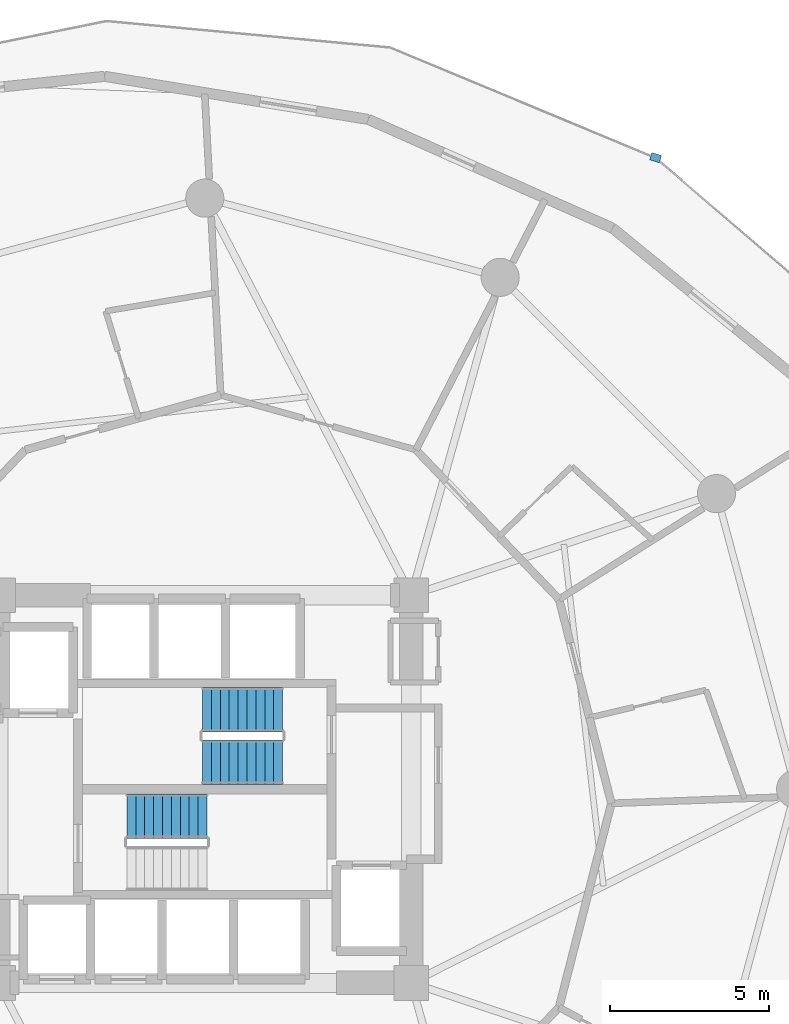
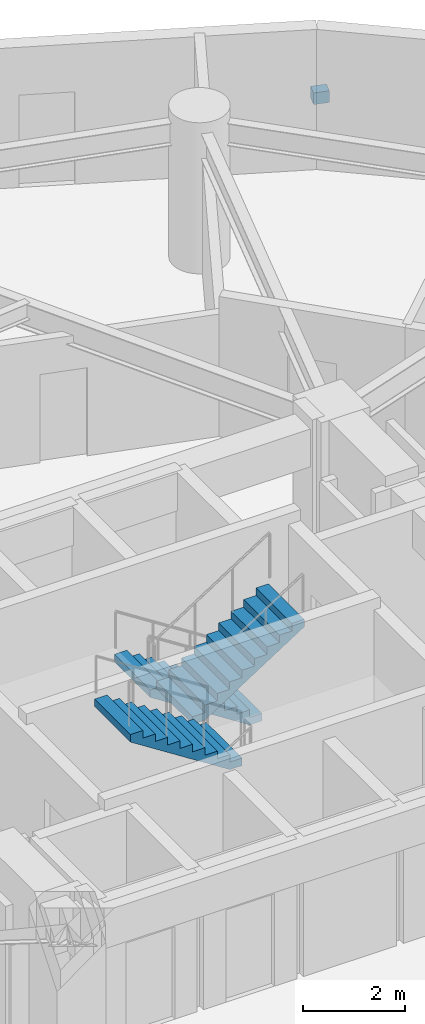
# One storey, part 23 of 26: 3 stair flights, 1 discrete accessory, 2 elements without a shape of their own.
"""IFC4 building model written with IfcOpenShell, lengths in metres."""

from ifc_helpers import new_model, si_unit, direction, frame, origin, origin_2d, place, context, subcontext, project, spatial, polyline, rectangle, outline, extrude, material, type_object, element, aggregate, save


model = new_model("IFC4")

# Units and contexts
model_context = context("Model", 3, precision=1e-05, world=origin(), true_north=direction((0.0, 1.0)))
body_context = subcontext(model_context, "Body", "Model", "MODEL_VIEW")
ifc_project = project(units=[si_unit("LENGTHUNIT", "METRE"), si_unit("AREAUNIT", "SQUARE_METRE"), si_unit("VOLUMEUNIT", "CUBIC_METRE"), si_unit("PLANEANGLEUNIT", "RADIAN"), si_unit("MASSUNIT", "GRAM", prefix="KILO")], contexts=[model_context])

# Site, building, storey
site_placement = place(None, origin())
site = spatial("IfcSite", under=ifc_project, at=site_placement, CompositionType="ELEMENT")
building_placement = place(site_placement, origin())
building = spatial("IfcBuilding", under=site, at=building_placement, Name="Solvirekh Grand Hotel", CompositionType="ELEMENT")
storey_placement = place(building_placement, frame((0.0, 0.0, 64.39990234375)))
storey = spatial("IfcBuildingStorey", under=building, at=storey_placement, Name="L15", CompositionType="ELEMENT", Elevation=64.39990234375)

# Stair, stair flight
ifc_material_1 = material(Name="Concrete C40/50", Category="concrete")
stair_type = type_object("IfcStairType", Name="Stair_Core_1450", PredefinedType="HALF_TURN_STAIR", material=ifc_material_1)
stair_1_placement = place(storey_placement, origin())
stair_1 = element("IfcStair", 1, at=stair_1_placement, inside=storey, type_object=stair_type, Name="L15 Enclosed exit stair ST-1", PredefinedType="HALF_TURN_STAIR")
stair_flight_type = type_object("IfcStairFlightType", Name="Flight_Core_1450", PredefinedType="STRAIGHT", material=ifc_material_1)
stair_flight_1_placement = place(storey_placement, frame((0.070068359375, -0.85009765625, 1.800048828125), z_axis=(0.0, 0.0, 1.0), x_axis=(-1.0, 0.0, 0.0)))
stair_flight_1 = element("IfcStairFlight", 2, at=stair_flight_1_placement, type_object=stair_flight_type, Name="ST-1 flight 2", NumberOfRisers=10, NumberOfTreads=9, PredefinedType="STRAIGHT", RiserHeight=0.18, TreadLength=0.28, context=body_context, shape_type="SweptSolid", body=[
    extrude(outline(polyline([(0.0, 0.0), (0.0, 0.179931640625), (0.280029296875, 0.179931640625), (0.280029296875, 0.360107421875), (0.56005859375, 0.360107421875), (0.56005859375, 0.5400390625), (0.840087890625, 0.5400390625), (0.840087890625, 0.719970703125), (1.1201171875, 0.719970703125), (1.1201171875, 0.89990234375), (1.39990234375, 0.89990234375), (1.39990234375, 1.080078125), (1.679931640625, 1.080078125), (1.679931640625, 1.260009765625), (1.9599609375, 1.260009765625), (1.9599609375, 1.43994140625), (2.239990234375, 1.43994140625), (2.239990234375, 1.6201171875), (2.52001953125, 1.6201171875), (2.52001953125, 1.800048828125), (2.52001953125, 1.44189453125), (0.277099609375, 0.0), (0.0, 0.0)])), frame((0.0, 0.699951171875, 0.0), z_axis=(0.0, -1.0, 0.0), x_axis=(1.0, 0.0, 0.0)), (0.0, 0.0, 1.0), 1.39990234375),
])
aggregate(stair_1, [stair_flight_1])

# Stair, stair flights
stair_2_placement = place(storey_placement, origin())
stair_2 = element("IfcStair", 3, at=stair_2_placement, inside=storey, type_object=stair_type, Name="L15 Enclosed exit stair ST-2", PredefinedType="HALF_TURN_STAIR")
stair_flight_2_placement = place(storey_placement, frame((2.449951171875, 2.5, 0.0), z_axis=(0.0, 0.0, 1.0), x_axis=(-1.0, 0.0, 0.0)))
stair_flight_2 = element("IfcStairFlight", 4, at=stair_flight_2_placement, type_object=stair_flight_type, Name="ST-2 flight 1", NumberOfRisers=10, NumberOfTreads=9, PredefinedType="STRAIGHT", RiserHeight=0.18, TreadLength=0.28, context=body_context, shape_type="SweptSolid", body=[
    extrude(outline(polyline([(0.0, 0.0), (0.0, 0.179931640625), (0.280029296875, 0.179931640625), (0.280029296875, 0.360107421875), (0.56005859375, 0.360107421875), (0.56005859375, 0.5400390625), (0.840087890625, 0.5400390625), (0.840087890625, 0.719970703125), (1.1201171875, 0.719970703125), (1.1201171875, 0.89990234375), (1.39990234375, 0.89990234375), (1.39990234375, 1.080078125), (1.679931640625, 1.080078125), (1.679931640625, 1.260009765625), (1.9599609375, 1.260009765625), (1.9599609375, 1.43994140625), (2.239990234375, 1.43994140625), (2.239990234375, 1.6201171875), (2.52001953125, 1.6201171875), (2.52001953125, 1.800048828125), (2.52001953125, 1.44189453125), (0.277099609375, 0.0), (0.0, 0.0)])), frame((0.0, 0.699951171875, 0.0), z_axis=(0.0, -1.0, 0.0), x_axis=(1.0, 0.0, 0.0)), (0.0, 0.0, 1.0), 1.39990234375),
])
stair_flight_3_placement = place(storey_placement, frame((-0.070068359375, 0.85009765625, 1.800048828125), z_axis=(0.0, 0.0, 1.0), x_axis=(1.0, 0.0, 0.0)))
stair_flight_3 = element("IfcStairFlight", 5, at=stair_flight_3_placement, type_object=stair_flight_type, Name="ST-2 flight 2", NumberOfRisers=10, NumberOfTreads=9, PredefinedType="STRAIGHT", RiserHeight=0.18, TreadLength=0.28, context=body_context, shape_type="SweptSolid", body=[
    extrude(outline(polyline([(0.0, 0.0), (0.0, 0.179931640625), (0.280029296875, 0.179931640625), (0.280029296875, 0.360107421875), (0.56005859375, 0.360107421875), (0.56005859375, 0.5400390625), (0.840087890625, 0.5400390625), (0.840087890625, 0.719970703125), (1.1201171875, 0.719970703125), (1.1201171875, 0.89990234375), (1.39990234375, 0.89990234375), (1.39990234375, 1.080078125), (1.679931640625, 1.080078125), (1.679931640625, 1.260009765625), (1.9599609375, 1.260009765625), (1.9599609375, 1.43994140625), (2.239990234375, 1.43994140625), (2.239990234375, 1.6201171875), (2.52001953125, 1.6201171875), (2.52001953125, 1.800048828125), (2.52001953125, 1.44189453125), (0.277099609375, 0.0), (0.0, 0.0)])), frame((0.0, 0.699951171875, 0.0), z_axis=(0.0, -1.0, 0.0), x_axis=(1.0, 0.0, 0.0)), (0.0, 0.0, 1.0), 1.39990234375),
])
aggregate(stair_2, [stair_flight_2, stair_flight_3])

# Discrete accessory
ifc_material_2 = material(Name="Steel S355", Category="steel")
discrete_accessory_type = type_object("IfcDiscreteAccessoryType", Name="Acc_ThermalBracket", PredefinedType="BRACKET", material=ifc_material_2)
discrete_accessory_placement = place(storey_placement, frame((14.193115234375, 19.875, -0.27978515625), z_axis=(0.0, 0.0, 1.0), x_axis=(0.958322574465, -0.285688367405, 0.0)))
element("IfcDiscreteAccessory", 6, at=discrete_accessory_placement, inside=storey, type_object=discrete_accessory_type, Name="L15 balcony thermal-break bracket", PredefinedType="BRACKET", context=body_context, shape_type="SweptSolid", body=[
    extrude(rectangle(XDim=0.320068359375, YDim=0.239990234375, at=origin_2d()), origin(), (0.0, 0.0, 1.0), 0.280029296875),
])

save(model, "model.ifc")
